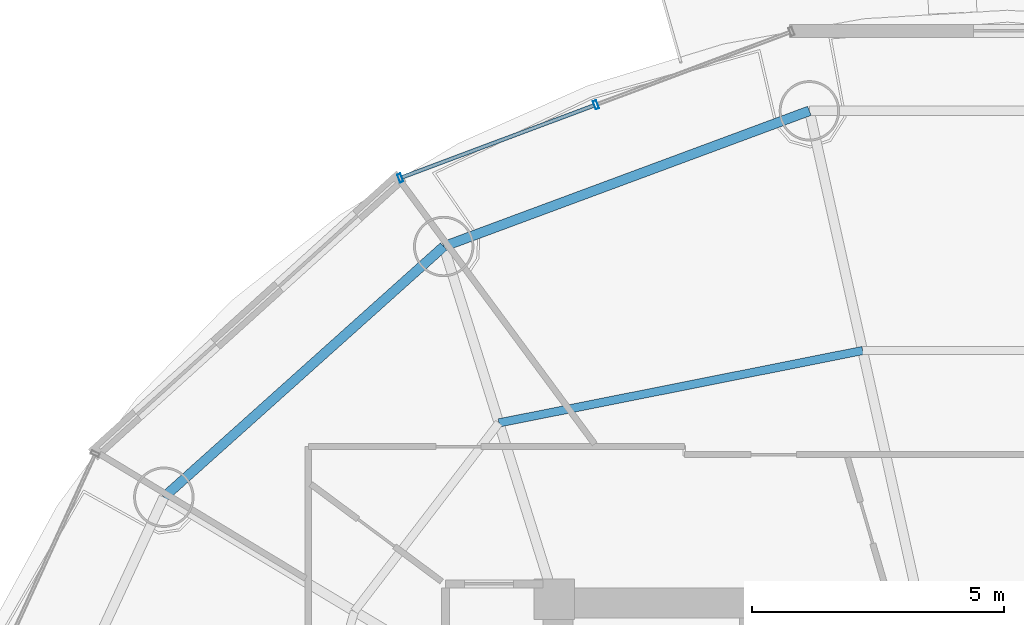
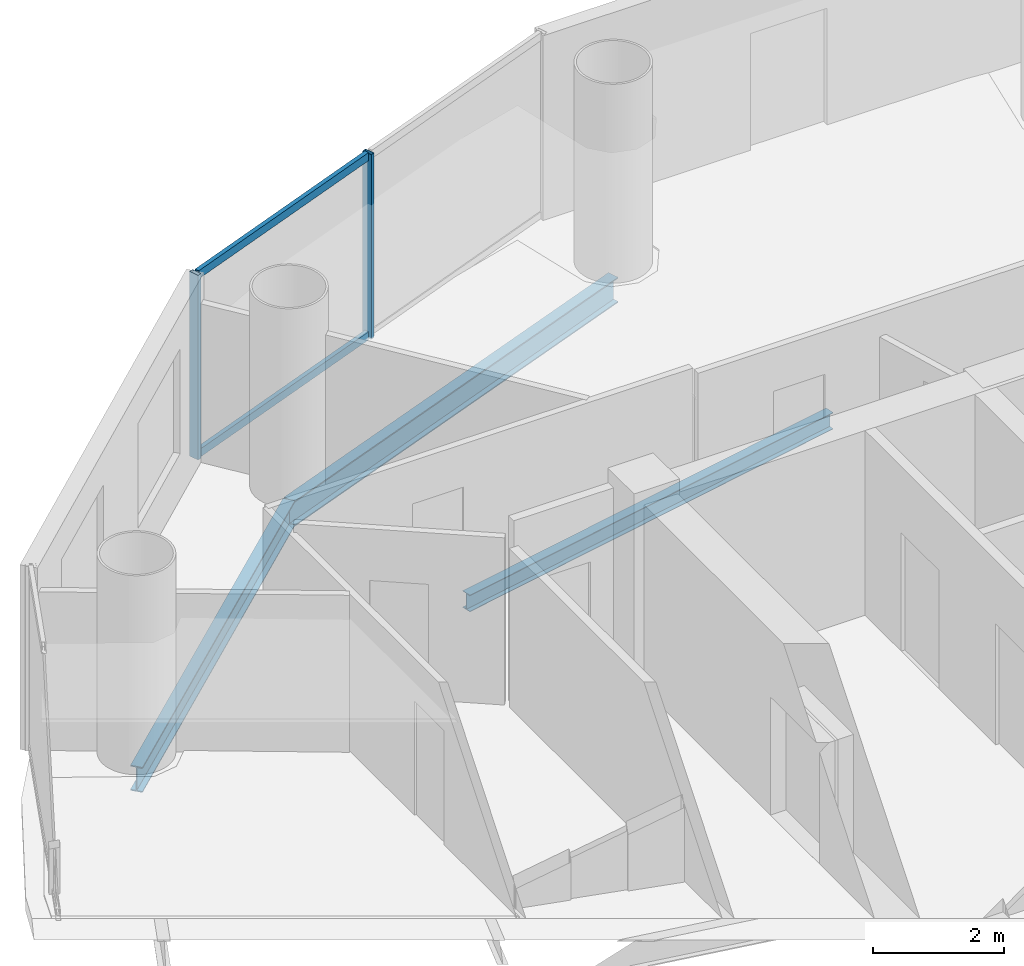
# One storey, part 15 of 26: 4 members, 3 beams, 1 element without a shape of its own.
"""IFC4 building model written with IfcOpenShell, lengths in metres."""

from ifc_helpers import new_model, si_unit, direction, frame, origin, origin_2d, place, context, subcontext, project, spatial, hollow_rectangle, i_section, extrude, source, transform, mapped, material, material_profile, profile_set, type_object, element, aggregate, save


model = new_model("IFC4")

# Units and contexts
model_context = context("Model", 3, precision=1e-05, world=origin(), true_north=direction((-0.2419218956, 0.970295726276)))
body_context = subcontext(model_context, "Body", "Model", "MODEL_VIEW")
ifc_project = project(units=[si_unit("LENGTHUNIT", "METRE"), si_unit("AREAUNIT", "SQUARE_METRE"), si_unit("VOLUMEUNIT", "CUBIC_METRE"), si_unit("PLANEANGLEUNIT", "RADIAN"), si_unit("MASSUNIT", "GRAM", prefix="KILO")], contexts=[model_context])

# Site, building, storey
site_placement = place(None, origin())
site = spatial("IfcSite", under=ifc_project, at=site_placement, CompositionType="ELEMENT")
building_placement = place(site_placement, origin())
building = spatial("IfcBuilding", under=site, at=building_placement, Name="Cobrevalo Terracotta Tower", CompositionType="ELEMENT")
storey_placement = place(building_placement, frame((0.0, 0.0, 224.5)))
storey = spatial("IfcBuildingStorey", under=building, at=storey_placement, Name="L59", CompositionType="ELEMENT", Elevation=224.5)

# Beams
ifc_material_1 = material(Name="Steel S355", Category="steel")
ifc_material_profile_1 = material_profile(ifc_material_1, i_section(OverallWidth=0.1650390625, OverallDepth=0.31005859375, WebThickness=0.005859375, FlangeThickness=0.009765625, at=origin_2d()), Name="W 310x38.7")
ifc_profile_set_1 = profile_set([ifc_material_profile_1], Name="Steel S355")
beam_type_1 = type_object("IfcBeamType", Name="Structural Joist W 310x38.7 (Steel S355)", PredefinedType="JOIST", material=ifc_profile_set_1)
beam_1_placement = place(storey_placement, frame((35.126220703125, 39.74169921875, -0.419921875), z_axis=(-0.980762562197, -0.195204499418, 0.0), x_axis=(0.195204499418, -0.980762562197, 0.0)))
element("IfcBeam", 1, at=beam_1_placement, inside=storey, type_object=beam_type_1, Name="L59 circumferential secondary floor joist 05", PredefinedType="JOIST", context=body_context, shape_type="SweptSolid", body=[
    extrude(i_section(OverallWidth=0.1650390625, OverallDepth=0.31005859375, WebThickness=0.005859375, FlangeThickness=0.009765625, at=origin_2d()), origin(), (0.0, 0.0, 1.0), 7.365234375),
])
ifc_material_profile_2 = material_profile(ifc_material_1, i_section(OverallWidth=0.194091796875, OverallDepth=0.468994140625, WebThickness=0.011474609375, FlangeThickness=0.0205078125, at=origin_2d()), Name="W 460x106")
ifc_profile_set_2 = profile_set([ifc_material_profile_2], Name="Steel S355")
beam_type_2 = type_object("IfcBeamType", Name="Structural Spandrel W 460x106 (Steel S355)", PredefinedType="SPANDREL", material=ifc_profile_set_2)
beam_2_placement = place(storey_placement, frame((34.06884765625, 44.503173828125, -0.49951171875), z_axis=(-0.937545996665, -0.347861328892, 0.0), x_axis=(0.347861328892, -0.937545996665, 0.0)))
element("IfcBeam", 2, at=beam_2_placement, inside=storey, type_object=beam_type_2, Name="L59 perimeter ring spandrel 05", PredefinedType="SPANDREL", context=body_context, shape_type="SweptSolid", body=[
    extrude(i_section(OverallWidth=0.194091796875, OverallDepth=0.468994140625, WebThickness=0.011474609375, FlangeThickness=0.0205078125, at=origin_2d()), origin(), (0.0, 0.0, 1.0), 7.74755859375),
])
beam_3_placement = place(storey_placement, frame((26.80517578125, 41.80810546875, -0.49951171875), z_axis=(-0.744851930997, -0.667229796165, 0.0), x_axis=(0.667229796165, -0.744851930997, 0.0)))
element("IfcBeam", 3, at=beam_3_placement, inside=storey, type_object=beam_type_2, Name="L59 perimeter ring spandrel 06", PredefinedType="SPANDREL", context=body_context, shape_type="SweptSolid", body=[
    extrude(i_section(OverallWidth=0.194091796875, OverallDepth=0.468994140625, WebThickness=0.011474609375, FlangeThickness=0.0205078125, at=origin_2d()), origin(), (0.0, 0.0, 1.0), 7.463623046875),
])

# Curtain wall, members
ifc_material_2 = material(Name="Anodized aluminium", Category="aluminium")
curtain_wall_type = type_object("IfcCurtainWallType", Name="Mid-tower high-wind unitised curtain wall CW-U2", PredefinedType="NOTDEFINED", material=ifc_material_2)
curtain_wall_placement = place(storey_placement, origin())
curtain_wall = element("IfcCurtainWall", 4, at=curtain_wall_placement, inside=storey, type_object=curtain_wall_type, Name="L59 curtain wall CW-L59-S05", PredefinedType="NOTDEFINED")
ifc_material_profile_3 = material_profile(ifc_material_2, hollow_rectangle(XDim=0.074951171875, YDim=0.14990234375, WallThickness=0.00439453125, at=origin_2d()), Name="CWT 75x150")
ifc_profile_set_3 = profile_set([ifc_material_profile_3], Name="Anodized aluminium")
member_type_1 = type_object("IfcMemberType", Name="Tower unitised aluminium transom 75x150", PredefinedType="USERDEFINED", material=ifc_profile_set_3)
shared_shape_1 = source(origin(), body_context, "Body", "SweptSolid", [
    extrude(hollow_rectangle(XDim=0.074951171875, YDim=0.14990234375, WallThickness=0.00439453125, at=origin_2d()), origin(), (0.0, 0.0, 1.0), 4.069580078125),
])
member_1_placement = place(storey_placement, frame((29.79150390625, 44.609619140625, 0.050048828125), z_axis=(-0.936548420649, -0.350538237259, 0.0), x_axis=(0.350538237259, -0.936548420649, 0.0)))
member_1 = element("IfcMember", 5, at=member_1_placement, type_object=member_type_1, Name="CW-L59-S05 transom B02-T1", ObjectType="TRANSOM", PredefinedType="USERDEFINED", context=body_context, shape_type="MappedRepresentation", body=[
    mapped(shared_shape_1, transform((0.0, 0.0, 0.0), scale=1.0)),
])
member_2_placement = place(storey_placement, frame((29.79150390625, 44.609619140625, 3.385009765625), z_axis=(-0.936548420649, -0.350538237259, 0.0), x_axis=(0.350538237259, -0.936548420649, 0.0)))
member_2 = element("IfcMember", 6, at=member_2_placement, type_object=member_type_1, Name="CW-L59-S05 transom B02-T2", ObjectType="TRANSOM", PredefinedType="USERDEFINED", context=body_context, shape_type="MappedRepresentation", body=[
    mapped(shared_shape_1, transform((0.0, 0.0, 0.0), scale=1.0)),
])
ifc_material_profile_4 = material_profile(ifc_material_2, hollow_rectangle(XDim=0.070068359375, YDim=0.169921875, WallThickness=0.00439453125, at=origin_2d()), Name="CWM 70x170")
ifc_profile_set_4 = profile_set([ifc_material_profile_4], Name="Anodized aluminium")
member_type_2 = type_object("IfcMemberType", Name="Upper tower unitised mullion 70x170", PredefinedType="MULLION", material=ifc_profile_set_4)
shared_shape_2 = source(origin(), body_context, "Body", "SweptSolid", [
    extrude(hollow_rectangle(XDim=0.070068359375, YDim=0.169921875, WallThickness=0.00439453125, at=origin_2d()), origin(), (0.0, 0.0, 1.0), 3.43505859375),
])
member_3_placement = place(storey_placement, frame((29.8291015625, 44.62353515625, 0.0), z_axis=(0.0, 0.0, 1.0), x_axis=(-0.936556004584, -0.350517974259, 0.0)))
member_3 = element("IfcMember", 7, at=member_3_placement, type_object=member_type_2, Name="CW-L59-S05 vertical mullion 02", PredefinedType="MULLION", context=body_context, shape_type="MappedRepresentation", body=[
    mapped(shared_shape_2, transform((0.0, 0.0, 0.0), scale=1.0)),
])
member_4_placement = place(storey_placement, frame((25.942626953125, 43.1689453125, 0.0), z_axis=(0.0, 0.0, 1.0), x_axis=(-0.936556004584, -0.350517974259, 0.0)))
member_4 = element("IfcMember", 8, at=member_4_placement, type_object=member_type_2, Name="CW-L59-S05 vertical mullion 03", PredefinedType="MULLION", context=body_context, shape_type="MappedRepresentation", body=[
    mapped(shared_shape_2, transform((0.0, 0.0, 0.0), scale=1.0)),
])
aggregate(curtain_wall, [member_3, member_4, member_1, member_2])

save(model, "model.ifc")
